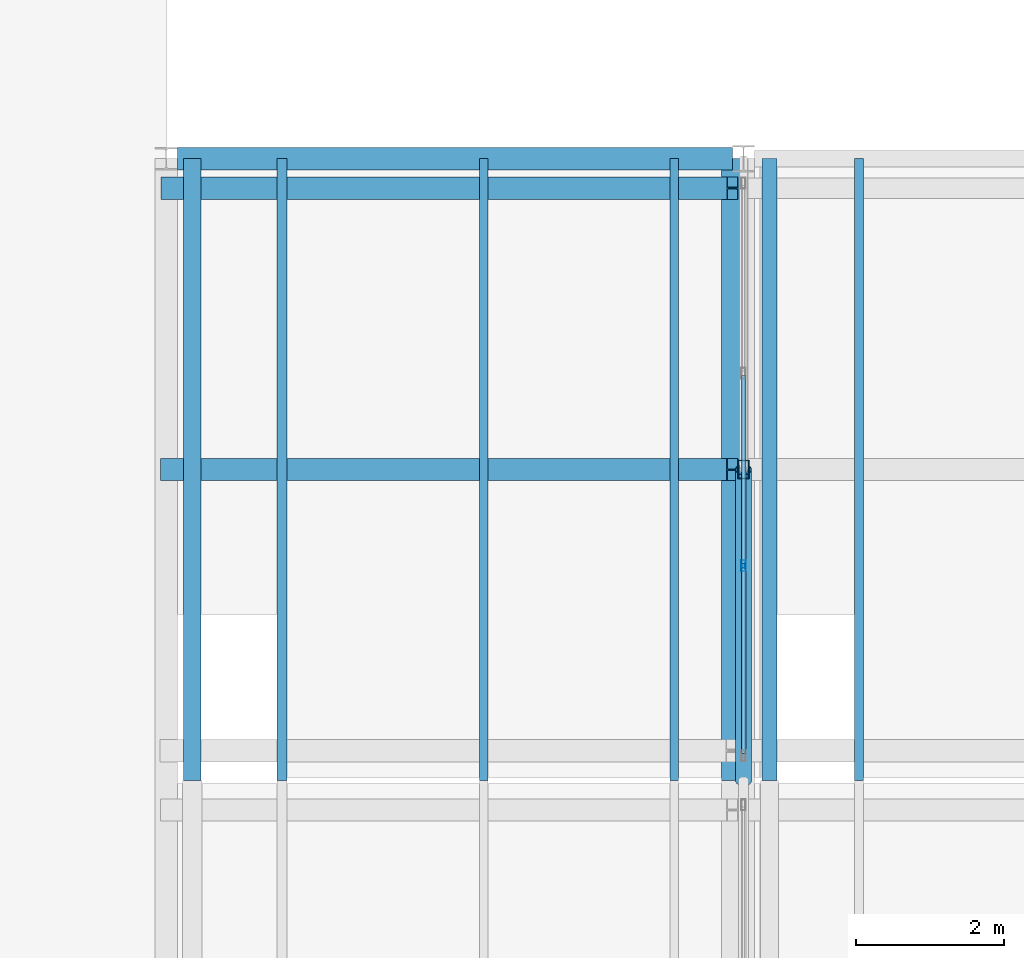
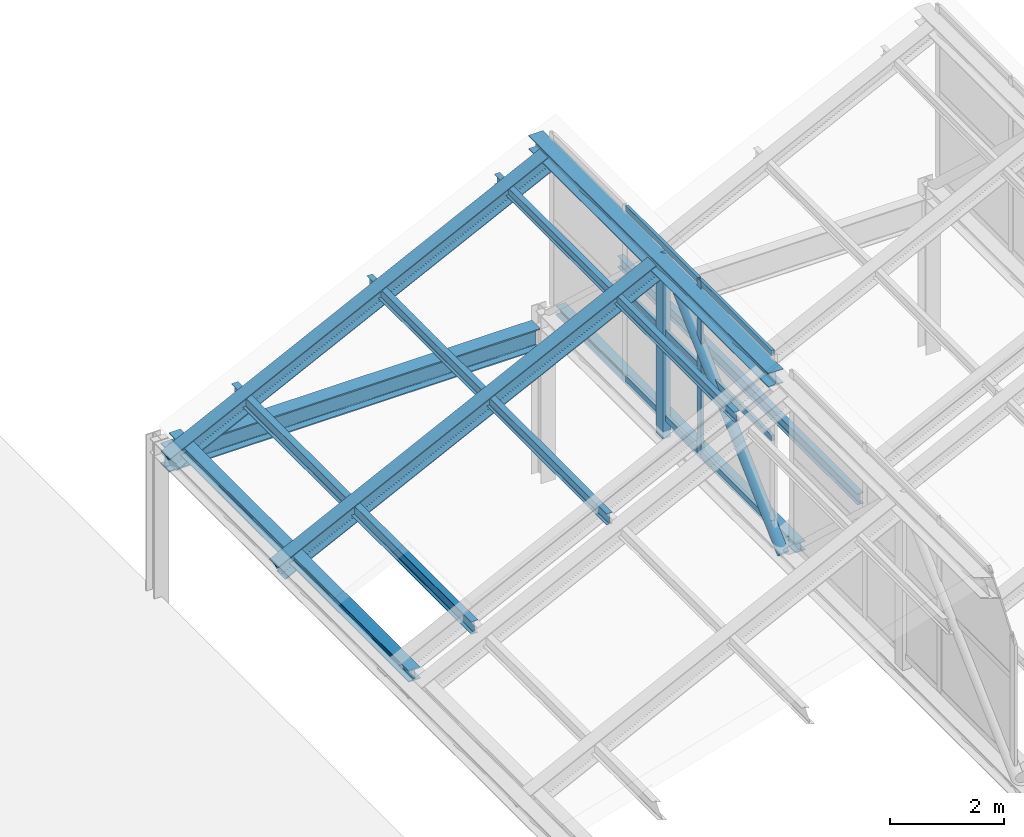
# One storey, part 23 of 101: 18 members, 1 beam, 1 element without a shape of its own.
"""IFC4 building model written with IfcOpenShell, lengths in metres."""

from ifc_helpers import new_model, si_unit, direction, frame, origin, origin_2d, place, context, subcontext, project, spatial, hollow_rectangle, hollow_circle, i_section, extrude, material, layer, layer_set, material_profile, profile_set, type_object, element, aggregate, save


model = new_model("IFC4")

# Units and contexts
model_context = context("Model", 3, precision=1e-05, world=origin(), true_north=direction((0.0, 1.0)))
body_context = subcontext(model_context, "Body", "Model", "MODEL_VIEW")
ifc_project = project(units=[si_unit("LENGTHUNIT", "METRE"), si_unit("AREAUNIT", "SQUARE_METRE"), si_unit("VOLUMEUNIT", "CUBIC_METRE"), si_unit("PLANEANGLEUNIT", "RADIAN"), si_unit("MASSUNIT", "GRAM", prefix="KILO")], contexts=[model_context])

# Site, building, storey
site_placement = place(None, origin())
site = spatial("IfcSite", under=ifc_project, at=site_placement, CompositionType="ELEMENT")
building_placement = place(site_placement, origin())
building = spatial("IfcBuilding", under=site, at=building_placement, Name="Zizhar Promenade General Hospital", CompositionType="ELEMENT")
storey_placement = place(building_placement, frame((0.0, 0.0, 14.39990234375)))
storey = spatial("IfcBuildingStorey", under=building, at=storey_placement, Name="L03", CompositionType="ELEMENT", Elevation=14.39990234375)

# Beam
ifc_material_1 = material(Name="Steel S355", Category="steel")
ifc_material_profile_1 = material_profile(ifc_material_1, i_section(OverallWidth=0.300048828125, OverallDepth=0.449951171875, WebThickness=0.013916015625, FlangeThickness=0.02587890625, FilletRadius=0.027099609375, at=origin_2d()))
ifc_profile_set_1 = profile_set([ifc_material_profile_1], Name="Steel S355")
beam_type = type_object("IfcBeamType", Name="BM-STL-HEB450", PredefinedType="BEAM", material=ifc_profile_set_1)
beam_placement = place(storey_placement, frame((70.35009765625, 50.39990234375, 3.085205078125), z_axis=(1.0, 0.0, 0.0), x_axis=(0.0, 1.0, 0.0)))
element("IfcBeam", 1, at=beam_placement, inside=storey, type_object=beam_type, Name="Grid Beam X L03 (9-6)", PredefinedType="BEAM", context=body_context, shape_type="SweptSolid", body=[
    extrude(i_section(OverallWidth=0.300048828125, OverallDepth=0.449951171875, WebThickness=0.013916015625, FlangeThickness=0.02587890625, FilletRadius=0.027099609375, at=origin_2d()), origin(), (0.0, 0.0, 1.0), 7.5),
])

# Curtain wall, members
ifc_material_2 = material(Name="Anodised aluminium 6063-T6 and low-E glass", Category="aluminium")
ifc_layer = layer(ifc_material_2, 0.159912109375)
ifc_layer_set = layer_set([ifc_layer], Name="Anodised aluminium 6063-T6 and low-E glass")
curtain_wall_type = type_object("IfcCurtainWallType", Name="CW-SAW-NL3", PredefinedType="NOTDEFINED", material=ifc_layer_set)
curtain_wall_placement = place(storey_placement, origin())
curtain_wall = element("IfcCurtainWall", 2, at=curtain_wall_placement, inside=storey, type_object=curtain_wall_type, Name="Sawtooth Clerestory Light B1-S3", PredefinedType="NOTDEFINED")
ifc_material_3 = material(Name="Anodised aluminium 6063-T6", Category="aluminium")
ifc_material_profile_2 = material_profile(ifc_material_3, hollow_rectangle(XDim=0.06005859375, YDim=0.14990234375, WallThickness=0.00390625, at=origin_2d()))
ifc_profile_set_2 = profile_set([ifc_material_profile_2], Name="Anodised aluminium 6063-T6")
member_type_1 = type_object("IfcMemberType", Name="CWM-ALU-150x60", PredefinedType="MULLION", material=ifc_profile_set_2)
member_1_placement = place(storey_placement, frame((78.0, 44.89990234375, 3.85009765625), z_axis=(0.0, 0.0, 1.0), x_axis=(-1.0, 0.0, 0.0)))
member_1 = element("IfcMember", 3, at=member_1_placement, type_object=member_type_1, Name="CW-05 mullion 2", PredefinedType="MULLION", context=body_context, shape_type="SweptSolid", body=[
    extrude(hollow_rectangle(XDim=0.06005859375, YDim=0.14990234375, WallThickness=0.00390625, at=origin_2d()), origin(), (0.0, 0.0, 1.0), 3.699951171875),
])
ifc_material_4 = material(Name="Anodised aluminium 6063-T6", Category="aluminium")
ifc_material_profile_3 = material_profile(ifc_material_4, hollow_rectangle(XDim=0.06005859375, YDim=0.1201171875, WallThickness=0.00390625, at=origin_2d()))
ifc_profile_set_3 = profile_set([ifc_material_profile_3], Name="Anodised aluminium 6063-T6")
member_type_2 = type_object("IfcMemberType", Name="CWT-ALU-120x60", PredefinedType="USERDEFINED", material=ifc_profile_set_3)
member_2_placement = place(storey_placement, frame((78.0, 42.360107421875, 3.880126953125), z_axis=(0.0, 1.0, 0.0), x_axis=(-1.0, 0.0, 0.0)))
member_2 = element("IfcMember", 4, at=member_2_placement, type_object=member_type_2, Name="CW-05 transom 1.1", ObjectType="TRANSOM", PredefinedType="USERDEFINED", context=body_context, shape_type="SweptSolid", body=[
    extrude(hollow_rectangle(XDim=0.06005859375, YDim=0.1201171875, WallThickness=0.00390625, at=origin_2d()), origin(), (0.0, 0.0, 1.0), 2.510009765625),
])
member_3_placement = place(storey_placement, frame((78.0, 42.360107421875, 5.7001953125), z_axis=(0.0, 1.0, 0.0), x_axis=(-1.0, 0.0, 0.0)))
member_3 = element("IfcMember", 5, at=member_3_placement, type_object=member_type_2, Name="CW-05 transom 1.2", ObjectType="TRANSOM", PredefinedType="USERDEFINED", context=body_context, shape_type="SweptSolid", body=[
    extrude(hollow_rectangle(XDim=0.06005859375, YDim=0.1201171875, WallThickness=0.00390625, at=origin_2d()), origin(), (0.0, 0.0, 1.0), 2.510009765625),
])
member_4_placement = place(storey_placement, frame((78.0, 42.360107421875, 7.52001953125), z_axis=(0.0, 1.0, 0.0), x_axis=(-1.0, 0.0, 0.0)))
member_4 = element("IfcMember", 6, at=member_4_placement, type_object=member_type_2, Name="CW-05 transom 1.3", ObjectType="TRANSOM", PredefinedType="USERDEFINED", context=body_context, shape_type="SweptSolid", body=[
    extrude(hollow_rectangle(XDim=0.06005859375, YDim=0.1201171875, WallThickness=0.00390625, at=origin_2d()), origin(), (0.0, 0.0, 1.0), 2.510009765625),
])
member_5_placement = place(storey_placement, frame((78.0, 44.929931640625, 3.880126953125), z_axis=(0.0, 1.0, 0.0), x_axis=(-1.0, 0.0, 0.0)))
member_5 = element("IfcMember", 7, at=member_5_placement, type_object=member_type_2, Name="CW-05 transom 2.1", ObjectType="TRANSOM", PredefinedType="USERDEFINED", context=body_context, shape_type="SweptSolid", body=[
    extrude(hollow_rectangle(XDim=0.06005859375, YDim=0.1201171875, WallThickness=0.00390625, at=origin_2d()), origin(), (0.0, 0.0, 1.0), 2.5400390625),
])
member_6_placement = place(storey_placement, frame((78.0, 44.929931640625, 5.7001953125), z_axis=(0.0, 1.0, 0.0), x_axis=(-1.0, 0.0, 0.0)))
member_6 = element("IfcMember", 8, at=member_6_placement, type_object=member_type_2, Name="CW-05 transom 2.2", ObjectType="TRANSOM", PredefinedType="USERDEFINED", context=body_context, shape_type="SweptSolid", body=[
    extrude(hollow_rectangle(XDim=0.06005859375, YDim=0.1201171875, WallThickness=0.00390625, at=origin_2d()), origin(), (0.0, 0.0, 1.0), 2.5400390625),
])
member_7_placement = place(storey_placement, frame((78.0, 44.929931640625, 7.52001953125), z_axis=(0.0, 1.0, 0.0), x_axis=(-1.0, 0.0, 0.0)))
member_7 = element("IfcMember", 9, at=member_7_placement, type_object=member_type_2, Name="CW-05 transom 2.3", ObjectType="TRANSOM", PredefinedType="USERDEFINED", context=body_context, shape_type="SweptSolid", body=[
    extrude(hollow_rectangle(XDim=0.06005859375, YDim=0.1201171875, WallThickness=0.00390625, at=origin_2d()), origin(), (0.0, 0.0, 1.0), 2.5400390625),
])
aggregate(curtain_wall, [member_1, member_2, member_3, member_4, member_5, member_6, member_7])

# Members
ifc_material_5 = material(Name="Steel S355", Category="steel")
ifc_material_profile_4 = material_profile(ifc_material_5, i_section(OverallWidth=0.199951171875, OverallDepth=0.199951171875, WebThickness=0.009033203125, FlangeThickness=0.014892578125, FilletRadius=0.01806640625, at=origin_2d()))
ifc_profile_set_4 = profile_set([ifc_material_profile_4], Name="Steel S355")
member_type_3 = type_object("IfcMemberType", Name="MEM-CHORD-HEB200", PredefinedType="CHORD", material=ifc_profile_set_4)
member_8_placement = place(storey_placement, frame((78.35009765625, 42.0, 3.47021484375), z_axis=(0.0, 1.0, 0.0), x_axis=(-1.0, 0.0, 0.0)))
element("IfcMember", 10, at=member_8_placement, inside=storey, type_object=member_type_3, Name="Sawtooth Bay 2 Valley Tie 3", PredefinedType="CHORD", context=body_context, shape_type="SweptSolid", body=[
    extrude(i_section(OverallWidth=0.199951171875, OverallDepth=0.199951171875, WebThickness=0.009033203125, FlangeThickness=0.014892578125, FilletRadius=0.01806640625, at=origin_2d()), origin(), (0.0, 0.0, 1.0), 8.39990234375),
])
ifc_material_6 = material(Name="Steel S355", Category="steel")
ifc_material_profile_5 = material_profile(ifc_material_6, i_section(OverallWidth=0.239990234375, OverallDepth=0.239990234375, WebThickness=0.010009765625, FlangeThickness=0.01708984375, FilletRadius=0.02099609375, at=origin_2d()))
ifc_profile_set_5 = profile_set([ifc_material_profile_5], Name="Steel S355")
member_type_4 = type_object("IfcMemberType", Name="MEM-CHORD-HEB240", PredefinedType="CHORD", material=ifc_profile_set_5)
member_9_placement = place(storey_placement, frame((70.550048828125, 42.0, 3.47021484375), z_axis=(0.0, 1.0, 0.0), x_axis=(-1.0, 0.0, 0.0)))
element("IfcMember", 11, at=member_9_placement, inside=storey, type_object=member_type_4, Name="Sawtooth Bay 1 Valley Tie 3", PredefinedType="CHORD", context=body_context, shape_type="SweptSolid", body=[
    extrude(i_section(OverallWidth=0.239990234375, OverallDepth=0.239990234375, WebThickness=0.010009765625, FlangeThickness=0.01708984375, FilletRadius=0.02099609375, at=origin_2d()), origin(), (0.0, 0.0, 1.0), 8.39990234375),
])
ifc_material_7 = material(Name="Steel S355", Category="steel")
ifc_material_profile_6 = material_profile(ifc_material_7, i_section(OverallWidth=0.300048828125, OverallDepth=0.300048828125, WebThickness=0.010986328125, FlangeThickness=0.01904296875, FilletRadius=0.027099609375, at=origin_2d()))
ifc_profile_set_6 = profile_set([ifc_material_profile_6], Name="Steel S355")
member_type_5 = type_object("IfcMemberType", Name="MEM-CHORD-HEB300", PredefinedType="CHORD", material=ifc_profile_set_6)
member_10_placement = place(storey_placement, frame((77.85009765625, 42.0, 7.25), z_axis=(0.0, 1.0, 0.0), x_axis=(-1.0, 0.0, 0.0)))
element("IfcMember", 12, at=member_10_placement, inside=storey, type_object=member_type_5, Name="Sawtooth Bay 1 Ridge Chord 3", PredefinedType="CHORD", context=body_context, shape_type="SweptSolid", body=[
    extrude(i_section(OverallWidth=0.300048828125, OverallDepth=0.300048828125, WebThickness=0.010986328125, FlangeThickness=0.01904296875, FilletRadius=0.027099609375, at=origin_2d()), origin(), (0.0, 0.0, 1.0), 8.39990234375),
])
ifc_material_8 = material(Name="Steel S355", Category="steel")
ifc_material_profile_7 = material_profile(ifc_material_8, hollow_circle(Radius=0.109619140625, WallThickness=0.008056640625, at=origin_2d()))
ifc_profile_set_7 = profile_set([ifc_material_profile_7], Name="Steel S355")
member_type_6 = type_object("IfcMemberType", Name="MEM-DIAG-CHS219", PredefinedType="BRACE", material=ifc_profile_set_7)
member_11_placement = place(storey_placement, frame((78.0, 42.0, 3.4501953125), z_axis=(0.0, 0.732798043082, 0.680446197767), x_axis=(-1.0, 0.0, 0.0)))
element("IfcMember", 13, at=member_11_placement, inside=storey, type_object=member_type_6, Name="Sawtooth Truss Frame 2 Diagonal A3", PredefinedType="BRACE", context=body_context, shape_type="SweptSolid", body=[
    extrude(hollow_circle(Radius=0.109619140625, WallThickness=0.008056640625, at=origin_2d()), origin(), (0.0, 0.0, 1.0), 5.7314453125),
])
ifc_material_9 = material(Name="Steel S355", Category="steel")
ifc_material_profile_8 = material_profile(ifc_material_9, i_section(OverallWidth=0.110107421875, OverallDepth=0.219970703125, WebThickness=0.005859375, FlangeThickness=0.00927734375, FilletRadius=0.011962890625, at=origin_2d()))
ifc_profile_set_8 = profile_set([ifc_material_profile_8], Name="Steel S355")
member_type_7 = type_object("IfcMemberType", Name="MEM-PURL-IPE220", PredefinedType="PURLIN", material=ifc_profile_set_8)
member_12_placement = place(storey_placement, frame((77.06396484375, 42.0, 6.705078125), z_axis=(0.0, 1.0, 0.0), x_axis=(-1.0, 0.0, 0.0)))
element("IfcMember", 14, at=member_12_placement, inside=storey, type_object=member_type_7, Name="Sawtooth Bay 1 Purlin 3-3", PredefinedType="PURLIN", context=body_context, shape_type="SweptSolid", body=[
    extrude(i_section(OverallWidth=0.110107421875, OverallDepth=0.219970703125, WebThickness=0.005859375, FlangeThickness=0.00927734375, FilletRadius=0.011962890625, at=origin_2d()), origin(), (0.0, 0.0, 1.0), 8.39990234375),
])
ifc_material_10 = material(Name="Steel S355", Category="steel")
ifc_material_profile_9 = material_profile(ifc_material_10, i_section(OverallWidth=0.1201171875, OverallDepth=0.239990234375, WebThickness=0.006103515625, FlangeThickness=0.009765625, FilletRadius=0.014892578125, at=origin_2d()))
ifc_profile_set_9 = profile_set([ifc_material_profile_9], Name="Steel S355")
member_type_8 = type_object("IfcMemberType", Name="MEM-PURL-IPE240", PredefinedType="PURLIN", material=ifc_profile_set_9)
for number, where, z_axis, x_axis, name in (
    (15, (74.489990234375, 42.0, 5.424560546875), (0.0, 1.0, 0.0), (-1.0, 0.0, 0.0), "Sawtooth Bay 1 Purlin 3-2"),
    (16, (79.56005859375, 42.0, 4.0771484375), (0.0, 1.0, 0.0), (-1.0, 0.0, 0.0), "Sawtooth Bay 2 Purlin 3-1"),
):
    element("IfcMember", number, at=place(storey_placement, frame(where, z_axis=z_axis, x_axis=x_axis)), inside=storey, type_object=member_type_8, Name=name, PredefinedType="PURLIN", context=body_context, shape_type="SweptSolid", body=[
        extrude(i_section(OverallWidth=0.1201171875, OverallDepth=0.239990234375, WebThickness=0.006103515625, FlangeThickness=0.009765625, FilletRadius=0.014892578125, at=origin_2d()), origin(), (0.0, 0.0, 1.0), 8.39990234375),
    ])
ifc_material_11 = material(Name="Steel S355", Category="steel")
ifc_material_profile_10 = material_profile(ifc_material_11, i_section(OverallWidth=0.135009765625, OverallDepth=0.27001953125, WebThickness=0.006591796875, FlangeThickness=0.01025390625, FilletRadius=0.014892578125, at=origin_2d()))
ifc_profile_set_10 = profile_set([ifc_material_profile_10], Name="Steel S355")
member_type_9 = type_object("IfcMemberType", Name="MEM-PURL-IPE270", PredefinedType="PURLIN", material=ifc_profile_set_10)
member_13_placement = place(storey_placement, frame((71.760009765625, 42.0, 4.06201171875), z_axis=(0.0, 1.0, 0.0), x_axis=(-1.0, 0.0, 0.0)))
element("IfcMember", 17, at=member_13_placement, inside=storey, type_object=member_type_9, Name="Sawtooth Bay 1 Purlin 3-1", PredefinedType="PURLIN", context=body_context, shape_type="SweptSolid", body=[
    extrude(i_section(OverallWidth=0.135009765625, OverallDepth=0.27001953125, WebThickness=0.006591796875, FlangeThickness=0.01025390625, FilletRadius=0.014892578125, at=origin_2d()), origin(), (0.0, 0.0, 1.0), 8.39990234375),
])
ifc_material_12 = material(Name="Steel S355", Category="steel")
ifc_material_profile_11 = material_profile(ifc_material_12, i_section(OverallWidth=0.300048828125, OverallDepth=0.330078125, WebThickness=0.009521484375, FlangeThickness=0.0166015625, FilletRadius=0.027099609375, at=origin_2d()))
ifc_profile_set_11 = profile_set([ifc_material_profile_11], Name="Steel S355")
member_type_10 = type_object("IfcMemberType", Name="MEM-RAFT-HEA340", PredefinedType="RAFTER", material=ifc_profile_set_11)
member_14_placement = place(storey_placement, frame((70.199951171875, 50.0, 3.30908203125), z_axis=(0.896710487916, 0.0, 0.442617555979), x_axis=(0.0, 1.0, 0.0)))
element("IfcMember", 18, at=member_14_placement, inside=storey, type_object=member_type_10, Name="Sawtooth Bay 1 Rafter 3-3", PredefinedType="RAFTER", context=body_context, shape_type="SweptSolid", body=[
    extrude(i_section(OverallWidth=0.300048828125, OverallDepth=0.330078125, WebThickness=0.009521484375, FlangeThickness=0.0166015625, FilletRadius=0.027099609375, at=origin_2d()), origin(), (0.0, 0.0, 1.0), 8.53125),
])
ifc_material_13 = material(Name="Steel S355", Category="steel")
ifc_material_profile_12 = material_profile(ifc_material_13, i_section(OverallWidth=0.300048828125, OverallDepth=0.35009765625, WebThickness=0.010009765625, FlangeThickness=0.017578125, FilletRadius=0.027099609375, at=origin_2d()))
ifc_profile_set_12 = profile_set([ifc_material_profile_12], Name="Steel S355")
member_type_11 = type_object("IfcMemberType", Name="MEM-RAFT-HEA360", PredefinedType="RAFTER", material=ifc_profile_set_12)
member_15_placement = place(storey_placement, frame((70.199951171875, 46.199951171875, 3.298095703125), z_axis=(0.896721845806, 0.0, 0.442594544989), x_axis=(0.0, 1.0, 0.0)))
element("IfcMember", 19, at=member_15_placement, inside=storey, type_object=member_type_11, Name="Sawtooth Bay 1 Rafter 3-2", PredefinedType="RAFTER", context=body_context, shape_type="SweptSolid", body=[
    extrude(i_section(OverallWidth=0.300048828125, OverallDepth=0.35009765625, WebThickness=0.010009765625, FlangeThickness=0.017578125, FilletRadius=0.027099609375, at=origin_2d()), origin(), (0.0, 0.0, 1.0), 8.53125),
])
ifc_material_14 = material(Name="Steel S355", Category="steel")
ifc_material_profile_13 = material_profile(ifc_material_14, hollow_rectangle(XDim=0.14990234375, YDim=0.25, WallThickness=0.008056640625, at=origin_2d()))
ifc_profile_set_13 = profile_set([ifc_material_profile_13], Name="Steel S355")
member_type_12 = type_object("IfcMemberType", Name="MEM-STRUT-RHS250", PredefinedType="STRUT", material=ifc_profile_set_13)
member_16_placement = place(storey_placement, frame((78.0, 46.199951171875, 3.4501953125), z_axis=(0.0, 0.0, 1.0), x_axis=(1.0, 0.0, 0.0)))
element("IfcMember", 20, at=member_16_placement, inside=storey, type_object=member_type_12, Name="Sawtooth Truss Frame 2 Vertical Post 3", PredefinedType="STRUT", context=body_context, shape_type="SweptSolid", body=[
    extrude(hollow_rectangle(XDim=0.14990234375, YDim=0.25, WallThickness=0.008056640625, at=origin_2d()), origin(), (0.0, 0.0, 1.0), 3.89990234375),
])

save(model, "model.ifc")
